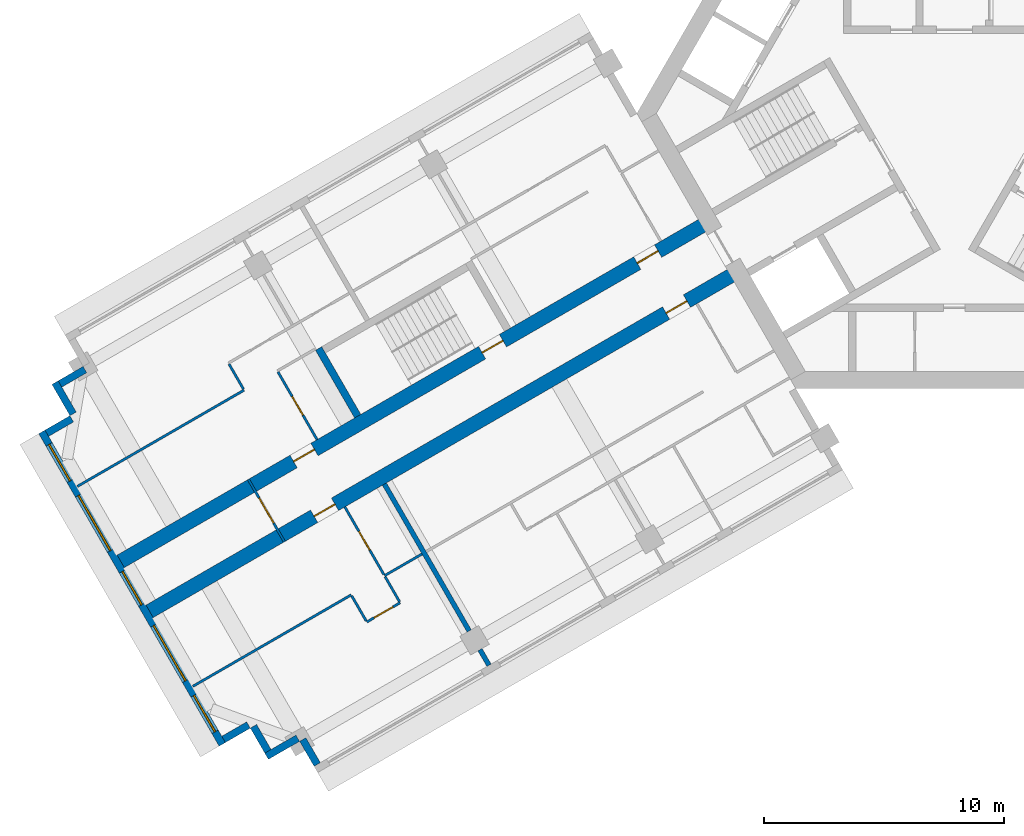
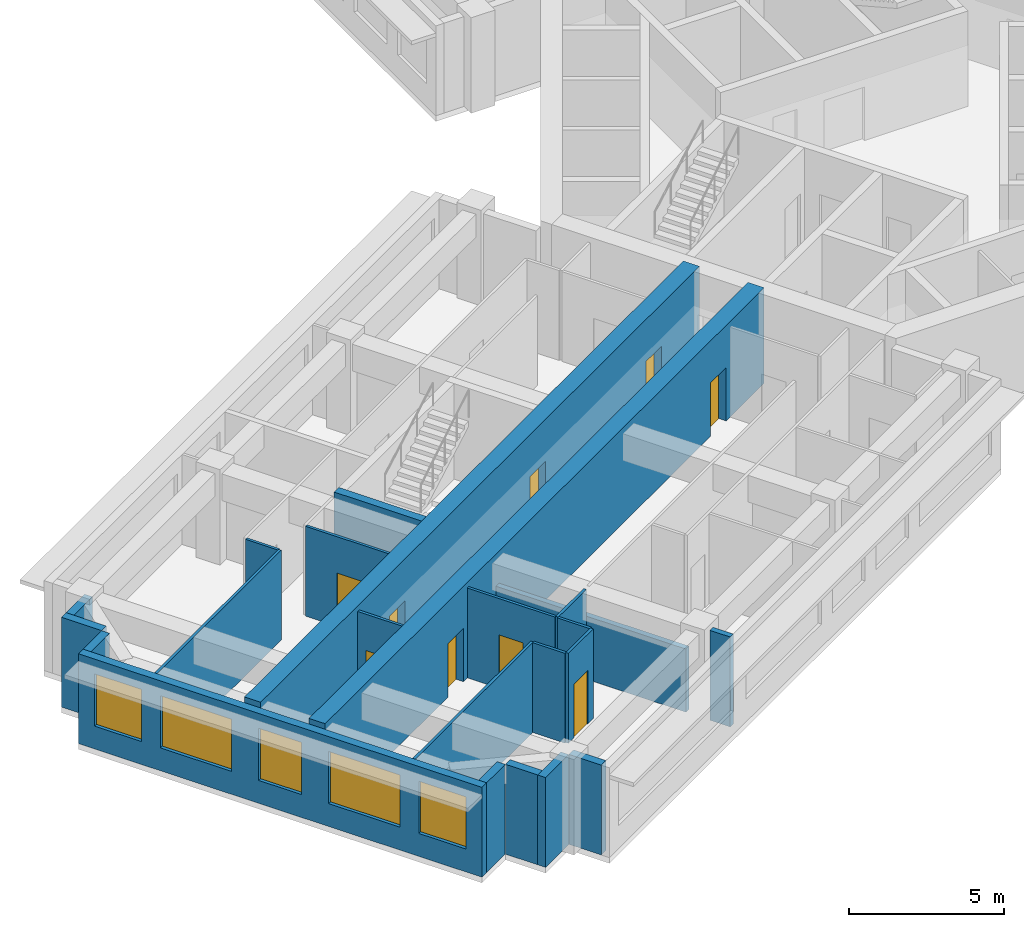
# One storey, part 2 of 10: 23 walls, 9 doors, 5 windows, 14 openings.
"""IFC4 building model written with IfcOpenShell, lengths in metres."""

from ifc_helpers import new_model, si_unit, direction, frame, frame_2d, origin, place, context, subcontext, project, spatial, rectangle, extrude, material, layer, layer_set, type_object, element, fill, save


model = new_model("IFC4")

# Units and contexts
model_context = context("Model", 3, precision=1e-05, world=origin(), true_north=direction((0.0, 1.0)))
body_context = subcontext(model_context, "Body", "Model", "MODEL_VIEW")
ifc_project = project(units=[si_unit("LENGTHUNIT", "METRE"), si_unit("AREAUNIT", "SQUARE_METRE"), si_unit("VOLUMEUNIT", "CUBIC_METRE"), si_unit("PLANEANGLEUNIT", "RADIAN"), si_unit("MASSUNIT", "GRAM", prefix="KILO")], contexts=[model_context])

# Site, building, storey
site_placement = place(None, origin())
site = spatial("IfcSite", under=ifc_project, at=site_placement, CompositionType="ELEMENT")
building_placement = place(site_placement, origin())
building = spatial("IfcBuilding", under=site, at=building_placement, Name="Impinga Residences", CompositionType="ELEMENT")
storey_placement = place(building_placement, frame((0.0, 0.0, 196.0)))
storey = spatial("IfcBuildingStorey", under=building, at=storey_placement, Name="L48", CompositionType="ELEMENT", Elevation=196.0)

# Wall, openings, doors
ifc_material_1 = material(Name="Concrete C60/75", Category="concrete")
ifc_layer_1 = layer(ifc_material_1, 0.60009765625)
ifc_layer_set_1 = layer_set([ifc_layer_1], Name="Concrete C60/75")
wall_type_1 = type_object("IfcWallType", Name="BW3 corridor buttress wall, L46 to L73 600", PredefinedType="SHEAR", material=ifc_layer_set_1)
wall_1_placement = place(storey_placement, frame((-8.996826171875, -6.580078125, 0.0), z_axis=(0.0, 0.0, 1.0), x_axis=(-0.866026415941, -0.499998246889, 0.0)))
wall_1 = element("IfcWall", 1, at=wall_1_placement, inside=storey, type_object=wall_type_1, Name="Corridor wall BW3 WC L48", PredefinedType="SHEAR", context=body_context, shape_type="SweptSolid", body=[
    extrude(rectangle(XDim=28.25, YDim=0.60009765625, at=frame_2d((14.125, 0.0))), origin(), (0.0, 0.0, 1.0), 3.75),
])
opening_1_placement = place(wall_1_placement, frame((2.449951171875, 0.0, 0.0)))
opening_1 = element("IfcOpeningElement", 2, at=opening_1_placement, cuts=wall_1, Name="Opening D1", PredefinedType="OPENING", context=body_context, shape_type="SweptSolid", body=[
    extrude(rectangle(XDim=1.0, YDim=2.10009765625, at=frame_2d((0.5, 1.050048828125))), frame((0.0, 0.31005859375, 0.0), z_axis=(0.0, -1.0, 0.0), x_axis=(1.0, 0.0, 0.0)), (0.0, 0.0, 1.0), 0.6201171875),
])
opening_2_placement = place(wall_1_placement, frame((19.35009765625, 0.0, 0.0)))
opening_2 = element("IfcOpeningElement", 3, at=opening_2_placement, cuts=wall_1, Name="Opening D1", PredefinedType="OPENING", context=body_context, shape_type="SweptSolid", body=[
    extrude(rectangle(XDim=1.0, YDim=2.10009765625, at=frame_2d((0.5, 1.050048828125))), frame((0.0, 0.31005859375, 0.0), z_axis=(0.0, -1.0, 0.0), x_axis=(1.0, 0.0, 0.0)), (0.0, 0.0, 1.0), 0.6201171875),
])
ifc_material_2 = material(Name="Timber door set", Category="wood")
door_type_1 = type_object("IfcDoorType", Name="D1 apartment entrance door 1000x2100", OperationType="SINGLE_SWING_LEFT", PredefinedType="DOOR", material=ifc_material_2)
door_1_placement = place(opening_1_placement, origin())
door_1 = element("IfcDoor", 4, at=door_1_placement, inside=storey, type_object=door_type_1, Name="Apartment L48-WA1 entrance", OperationType="SINGLE_SWING_LEFT", OverallHeight=2.10009765625, OverallWidth=1.0, PredefinedType="DOOR", context=body_context, shape_type="SweptSolid", body=[
    extrude(rectangle(XDim=1.0, YDim=2.10009765625, at=frame_2d((0.5, 1.050048828125))), frame((0.0, 0.02490234375, 0.0), z_axis=(0.0, -1.0, 0.0), x_axis=(1.0, 0.0, 0.0)), (0.0, 0.0, 1.0), 0.050048828125),
])
fill(opening_1, door_1)
door_2_placement = place(opening_2_placement, origin())
door_2 = element("IfcDoor", 5, at=door_2_placement, inside=storey, type_object=door_type_1, Name="Apartment L48-WA2 entrance", OperationType="SINGLE_SWING_RIGHT", OverallHeight=2.10009765625, OverallWidth=1.0, PredefinedType="DOOR", context=body_context, shape_type="SweptSolid", body=[
    extrude(rectangle(XDim=1.0, YDim=2.10009765625, at=frame_2d((0.5, 1.050048828125))), frame((0.0, 0.02490234375, 0.0), z_axis=(0.0, -1.0, 0.0), x_axis=(1.0, 0.0, 0.0)), (0.0, 0.0, 1.0), 0.050048828125),
])
fill(opening_2, door_2)

wall_2_placement = place(storey_placement, frame((-10.19677734375, -4.50146484375, 0.0), z_axis=(0.0, 0.0, 1.0), x_axis=(-0.866026415941, -0.499998246889, 0.0)))
wall_2 = element("IfcWall", 6, at=wall_2_placement, inside=storey, type_object=wall_type_1, Name="Corridor wall BW3 WD L48", PredefinedType="SHEAR", context=body_context, shape_type="SweptSolid", body=[
    extrude(rectangle(XDim=28.25, YDim=0.60009765625, at=frame_2d((14.125, 0.0))), origin(), (0.0, 0.0, 1.0), 3.75),
])
opening_3_placement = place(wall_2_placement, frame((9.89990234375, 0.0, 0.0)))
opening_3 = element("IfcOpeningElement", 7, at=opening_3_placement, cuts=wall_2, Name="Opening D5", PredefinedType="OPENING", context=body_context, shape_type="SweptSolid", body=[
    extrude(rectangle(XDim=1.0, YDim=2.10009765625, at=frame_2d((0.5, 1.050048828125))), frame((0.0, 0.31005859375, 0.0), z_axis=(0.0, -1.0, 0.0), x_axis=(1.0, 0.0, 0.0)), (0.0, 0.0, 1.0), 0.6201171875),
])
opening_4_placement = place(wall_2_placement, frame((2.449951171875, 0.0, 0.0)))
opening_4 = element("IfcOpeningElement", 8, at=opening_4_placement, cuts=wall_2, Name="Opening D1", PredefinedType="OPENING", context=body_context, shape_type="SweptSolid", body=[
    extrude(rectangle(XDim=1.0, YDim=2.10009765625, at=frame_2d((0.5, 1.050048828125))), frame((0.0, 0.31005859375, 0.0), z_axis=(0.0, -1.0, 0.0), x_axis=(1.0, 0.0, 0.0)), (0.0, 0.0, 1.0), 0.6201171875),
])
opening_5_placement = place(wall_2_placement, frame((18.949951171875, 0.0, 0.0)))
opening_5 = element("IfcOpeningElement", 9, at=opening_5_placement, cuts=wall_2, Name="Opening D1", PredefinedType="OPENING", context=body_context, shape_type="SweptSolid", body=[
    extrude(rectangle(XDim=1.0, YDim=2.10009765625, at=frame_2d((0.5, 1.050048828125))), frame((0.0, 0.31005859375, 0.0), z_axis=(0.0, -1.0, 0.0), x_axis=(1.0, 0.0, 0.0)), (0.0, 0.0, 1.0), 0.6201171875),
])
door_3_placement = place(opening_4_placement, origin())
door_3 = element("IfcDoor", 10, at=door_3_placement, inside=storey, type_object=door_type_1, Name="Apartment L48-WF1 entrance", OperationType="SINGLE_SWING_LEFT", OverallHeight=2.10009765625, OverallWidth=1.0, PredefinedType="DOOR", context=body_context, shape_type="SweptSolid", body=[
    extrude(rectangle(XDim=1.0, YDim=2.10009765625, at=frame_2d((0.5, 1.050048828125))), frame((0.0, 0.02490234375, 0.0), z_axis=(0.0, -1.0, 0.0), x_axis=(1.0, 0.0, 0.0)), (0.0, 0.0, 1.0), 0.050048828125),
])
fill(opening_4, door_3)
door_4_placement = place(opening_5_placement, origin())
door_4 = element("IfcDoor", 11, at=door_4_placement, inside=storey, type_object=door_type_1, Name="Apartment L48-WF2 entrance", OperationType="SINGLE_SWING_RIGHT", OverallHeight=2.10009765625, OverallWidth=1.0, PredefinedType="DOOR", context=body_context, shape_type="SweptSolid", body=[
    extrude(rectangle(XDim=1.0, YDim=2.10009765625, at=frame_2d((0.5, 1.050048828125))), frame((0.0, 0.02490234375, 0.0), z_axis=(0.0, -1.0, 0.0), x_axis=(1.0, 0.0, 0.0)), (0.0, 0.0, 1.0), 0.050048828125),
])
fill(opening_5, door_4)
door_type_2 = type_object("IfcDoorType", Name="D5 stair door 1000x2100", OperationType="SINGLE_SWING_LEFT", PredefinedType="DOOR", material=ifc_material_2)
door_5_placement = place(opening_3_placement, origin())
door_5 = element("IfcDoor", 12, at=door_5_placement, inside=storey, type_object=door_type_2, Name="Wing stair door W", OperationType="SINGLE_SWING_LEFT", OverallHeight=2.10009765625, OverallWidth=1.0, PredefinedType="DOOR", context=body_context, shape_type="SweptSolid", body=[
    extrude(rectangle(XDim=1.0, YDim=2.10009765625, at=frame_2d((0.5, 1.050048828125))), frame((0.0, 0.02490234375, 0.0), z_axis=(0.0, -1.0, 0.0), x_axis=(1.0, 0.0, 0.0)), (0.0, 0.0, 1.0), 0.050048828125),
])
fill(opening_3, door_5)

# Wall, opening, door
ifc_material_3 = material(Name="Concrete blockwork", Category="masonry")
ifc_layer_2 = layer(ifc_material_3, 0.10009765625)
ifc_layer_set_2 = layer_set([ifc_layer_2], Name="CP1 core room partition, blockwork 100")
wall_type_2 = type_object("IfcWallType", Name="CP1 core room partition, blockwork 100", PredefinedType="PARTITIONING", material=ifc_layer_set_2)
wall_3_placement = place(storey_placement, frame((-27.856201171875, -17.814697265625, 0.0), z_axis=(0.0, 0.0, 1.0), x_axis=(-0.50002537861, 0.866010750942, 0.0)))
wall_3 = element("IfcWall", 13, at=wall_3_placement, inside=storey, type_object=wall_type_2, Name="Core room partition, blockwork L48:W:LNG", PredefinedType="PARTITIONING", context=body_context, shape_type="SweptSolid", body=[
    extrude(rectangle(XDim=2.999755859375, YDim=0.10009765625, at=frame_2d((1.5, 0.0))), origin(), (0.0, 0.0, 1.0), 3.530029296875),
])
opening_6_placement = place(wall_3_placement, frame((0.89990234375, 0.0, 0.0)))
opening_6 = element("IfcOpeningElement", 14, at=opening_6_placement, cuts=wall_3, Name="Opening D3", PredefinedType="OPENING", context=body_context, shape_type="SweptSolid", body=[
    extrude(rectangle(XDim=1.199951171875, YDim=2.10009765625, at=frame_2d((0.60009765625, 1.050048828125))), frame((0.0, 0.06005859375, 0.0), z_axis=(0.0, -1.0, 0.0), x_axis=(1.0, 0.0, 0.0)), (0.0, 0.0, 1.0), 0.1201171875),
])
door_type_3 = type_object("IfcDoorType", Name="D3 room door, leaf and a half 1200x2100", OperationType="DOUBLE_SWING_LEFT", PredefinedType="DOOR", material=ifc_material_2)
door_6_placement = place(opening_6_placement, origin())
door_6 = element("IfcDoor", 15, at=door_6_placement, inside=storey, type_object=door_type_3, Name="Residents' lounge door W", OperationType="DOUBLE_SWING_LEFT", OverallHeight=2.10009765625, OverallWidth=1.199951171875, PredefinedType="DOOR", context=body_context, shape_type="SweptSolid", body=[
    extrude(rectangle(XDim=1.199951171875, YDim=2.10009765625, at=frame_2d((0.60009765625, 1.050048828125))), frame((0.0, 0.02490234375, 0.0), z_axis=(0.0, -1.0, 0.0), x_axis=(1.0, 0.0, 0.0)), (0.0, 0.0, 1.0), 0.050048828125),
])
fill(opening_6, door_6)

# Walls
ifc_material_4 = material(Name="Terracotta rainscreen on blockwork", Category="masonry")
ifc_layer_3 = layer(ifc_material_4, 0.300048828125)
ifc_layer_set_3 = layer_set([ifc_layer_3], Name="EW1 external wall, terracotta rainscreen on blockwork 300")
wall_type_3 = type_object("IfcWallType", Name="EW1 external wall, terracotta rainscreen on blockwork 300", PredefinedType="SOLIDWALL", material=ifc_layer_set_3)
wall_4_placement = place(storey_placement, frame((-26.493896484375, -27.07421875, 0.0), z_axis=(0.0, 0.0, 1.0), x_axis=(-0.500033551112, 0.866006032174, 0.0)))
element("IfcWall", 16, at=wall_4_placement, inside=storey, type_object=wall_type_3, Name="External wall EW1 L48", PredefinedType="SOLIDWALL", context=body_context, shape_type="SweptSolid", body=[
    extrude(rectangle(XDim=1.2001953125, YDim=0.300048828125, at=frame_2d((0.60009765625, 0.0))), origin(), (0.0, 0.0, 1.0), 3.530029296875),
])
wall_5_placement = place(storey_placement, frame((-27.30322265625, -25.982666015625, 0.0), z_axis=(0.0, 0.0, 1.0), x_axis=(-0.866074087889, -0.499915667175, 0.0)))
element("IfcWall", 17, at=wall_5_placement, inside=storey, type_object=wall_type_3, Name="External wall EW1 L48", PredefinedType="SOLIDWALL", context=body_context, shape_type="SweptSolid", body=[
    extrude(rectangle(XDim=1.494873046875, YDim=0.300048828125, at=frame_2d((0.74755859375, 0.0))), origin(), (0.0, 0.0, 1.0), 3.530029296875),
])
wall_6_placement = place(storey_placement, frame((-28.54296875, -26.525146484375, 0.0), z_axis=(0.0, 0.0, 1.0), x_axis=(-0.500033551112, 0.866006032174, 0.0)))
element("IfcWall", 18, at=wall_6_placement, inside=storey, type_object=wall_type_3, Name="External wall EW1 L48", PredefinedType="SOLIDWALL", context=body_context, shape_type="SweptSolid", body=[
    extrude(rectangle(XDim=1.2001953125, YDim=0.300048828125, at=frame_2d((0.60009765625, 0.0))), origin(), (0.0, 0.0, 1.0), 3.530029296875),
])
wall_7_placement = place(storey_placement, frame((-29.352294921875, -25.43359375, 0.0), z_axis=(0.0, 0.0, 1.0), x_axis=(-0.866059708757, -0.499940577336, 0.0)))
element("IfcWall", 19, at=wall_7_placement, inside=storey, type_object=wall_type_3, Name="External wall EW1 L48", PredefinedType="SOLIDWALL", context=body_context, shape_type="SweptSolid", body=[
    extrude(rectangle(XDim=1.195068359375, YDim=0.300048828125, at=frame_2d((0.59765625, 0.0))), origin(), (0.0, 0.0, 1.0), 3.530029296875),
])

# Wall, openings, windows
wall_8_placement = place(storey_placement, frame((-30.44189453125, -26.23583984375, 0.0), z_axis=(0.0, 0.0, 1.0), x_axis=(-0.500004234368, 0.866022959057, 0.0)))
wall_8 = element("IfcWall", 20, at=wall_8_placement, inside=storey, type_object=wall_type_3, Name="External wall EW1 L48", PredefinedType="SOLIDWALL", context=body_context, shape_type="SweptSolid", body=[
    extrude(rectangle(XDim=14.999755859375, YDim=0.300048828125, at=frame_2d((7.5, 0.0))), origin(), (0.0, 0.0, 1.0), 3.530029296875),
])
opening_7_placement = place(wall_8_placement, frame((0.60009765625, 0.0, 0.89990234375)))
opening_7 = element("IfcOpeningElement", 21, at=opening_7_placement, cuts=wall_8, Name="Opening W1", PredefinedType="OPENING", context=body_context, shape_type="SweptSolid", body=[
    extrude(rectangle(XDim=1.75, YDim=2.050048828125, at=frame_2d((0.875, 1.02490234375))), frame((0.0, 0.159912109375, 0.0), z_axis=(0.0, -1.0, 0.0), x_axis=(1.0, 0.0, 0.0)), (0.0, 0.0, 1.0), 0.320068359375),
])
opening_8_placement = place(wall_8_placement, frame((3.050048828125, 0.0, 0.89990234375)))
opening_8 = element("IfcOpeningElement", 22, at=opening_8_placement, cuts=wall_8, Name="Opening W18", PredefinedType="OPENING", context=body_context, shape_type="SweptSolid", body=[
    extrude(rectangle(XDim=2.64990234375, YDim=2.050048828125, at=frame_2d((1.324951171875, 1.02490234375))), frame((0.0, 0.159912109375, 0.0), z_axis=(0.0, -1.0, 0.0), x_axis=(1.0, 0.0, 0.0)), (0.0, 0.0, 1.0), 0.320068359375),
])
opening_9_placement = place(wall_8_placement, frame((6.699951171875, 0.0, 0.89990234375)))
opening_9 = element("IfcOpeningElement", 23, at=opening_9_placement, cuts=wall_8, Name="Opening W19", PredefinedType="OPENING", context=body_context, shape_type="SweptSolid", body=[
    extrude(rectangle(XDim=1.60009765625, YDim=2.050048828125, at=frame_2d((0.800048828125, 1.02490234375))), frame((0.0, 0.159912109375, 0.0), z_axis=(0.0, -1.0, 0.0), x_axis=(1.0, 0.0, 0.0)), (0.0, 0.0, 1.0), 0.320068359375),
])
opening_10_placement = place(wall_8_placement, frame((9.300048828125, 0.0, 0.89990234375)))
opening_10 = element("IfcOpeningElement", 24, at=opening_10_placement, cuts=wall_8, Name="Opening W18", PredefinedType="OPENING", context=body_context, shape_type="SweptSolid", body=[
    extrude(rectangle(XDim=2.64990234375, YDim=2.050048828125, at=frame_2d((1.324951171875, 1.02490234375))), frame((0.0, 0.159912109375, 0.0), z_axis=(0.0, -1.0, 0.0), x_axis=(1.0, 0.0, 0.0)), (0.0, 0.0, 1.0), 0.320068359375),
])
opening_11_placement = place(wall_8_placement, frame((12.64990234375, 0.0, 0.89990234375)))
opening_11 = element("IfcOpeningElement", 25, at=opening_11_placement, cuts=wall_8, Name="Opening W1", PredefinedType="OPENING", context=body_context, shape_type="SweptSolid", body=[
    extrude(rectangle(XDim=1.75, YDim=2.050048828125, at=frame_2d((0.875, 1.02490234375))), frame((0.0, 0.159912109375, 0.0), z_axis=(0.0, -1.0, 0.0), x_axis=(1.0, 0.0, 0.0)), (0.0, 0.0, 1.0), 0.320068359375),
])
ifc_material_5 = material(Name="Aluminium window, clear double glazing", Category="aluminium")
window_type_1 = type_object("IfcWindowType", Name="W1 ribbon window 1750x2050", PartitioningType="SINGLE_PANEL", PredefinedType="WINDOW", material=ifc_material_5)
window_1_placement = place(opening_7_placement, origin())
window_1 = element("IfcWindow", 26, at=window_1_placement, inside=storey, type_object=window_type_1, Name="Window L48", OverallHeight=2.050048828125, OverallWidth=1.75, PartitioningType="SINGLE_PANEL", PredefinedType="WINDOW", context=body_context, shape_type="SweptSolid", body=[
    extrude(rectangle(XDim=1.75, YDim=2.050048828125, at=frame_2d((0.875, 1.02490234375))), frame((0.0, 0.030029296875, 0.0), z_axis=(0.0, -1.0, 0.0), x_axis=(1.0, 0.0, 0.0)), (0.0, 0.0, 1.0), 0.06005859375),
])
fill(opening_7, window_1)
window_2_placement = place(opening_11_placement, origin())
window_2 = element("IfcWindow", 27, at=window_2_placement, inside=storey, type_object=window_type_1, Name="Window L48", OverallHeight=2.050048828125, OverallWidth=1.75, PartitioningType="SINGLE_PANEL", PredefinedType="WINDOW", context=body_context, shape_type="SweptSolid", body=[
    extrude(rectangle(XDim=1.75, YDim=2.050048828125, at=frame_2d((0.875, 1.02490234375))), frame((0.0, 0.030029296875, 0.0), z_axis=(0.0, -1.0, 0.0), x_axis=(1.0, 0.0, 0.0)), (0.0, 0.0, 1.0), 0.06005859375),
])
fill(opening_11, window_2)
window_type_2 = type_object("IfcWindowType", Name="W18 ribbon window 2650x2050", PartitioningType="SINGLE_PANEL", PredefinedType="WINDOW", material=ifc_material_5)
window_3_placement = place(opening_8_placement, origin())
window_3 = element("IfcWindow", 28, at=window_3_placement, inside=storey, type_object=window_type_2, Name="Window L48", OverallHeight=2.050048828125, OverallWidth=2.64990234375, PartitioningType="SINGLE_PANEL", PredefinedType="WINDOW", context=body_context, shape_type="SweptSolid", body=[
    extrude(rectangle(XDim=2.64990234375, YDim=2.050048828125, at=frame_2d((1.324951171875, 1.02490234375))), frame((0.0, 0.030029296875, 0.0), z_axis=(0.0, -1.0, 0.0), x_axis=(1.0, 0.0, 0.0)), (0.0, 0.0, 1.0), 0.06005859375),
])
fill(opening_8, window_3)
window_4_placement = place(opening_10_placement, origin())
window_4 = element("IfcWindow", 29, at=window_4_placement, inside=storey, type_object=window_type_2, Name="Window L48", OverallHeight=2.050048828125, OverallWidth=2.64990234375, PartitioningType="SINGLE_PANEL", PredefinedType="WINDOW", context=body_context, shape_type="SweptSolid", body=[
    extrude(rectangle(XDim=2.64990234375, YDim=2.050048828125, at=frame_2d((1.324951171875, 1.02490234375))), frame((0.0, 0.030029296875, 0.0), z_axis=(0.0, -1.0, 0.0), x_axis=(1.0, 0.0, 0.0)), (0.0, 0.0, 1.0), 0.06005859375),
])
fill(opening_10, window_4)
window_type_3 = type_object("IfcWindowType", Name="W19 ribbon window 1600x2050", PartitioningType="SINGLE_PANEL", PredefinedType="WINDOW", material=ifc_material_5)
window_5_placement = place(opening_9_placement, origin())
window_5 = element("IfcWindow", 30, at=window_5_placement, inside=storey, type_object=window_type_3, Name="Window L48", OverallHeight=2.050048828125, OverallWidth=1.60009765625, PartitioningType="SINGLE_PANEL", PredefinedType="WINDOW", context=body_context, shape_type="SweptSolid", body=[
    extrude(rectangle(XDim=1.60009765625, YDim=2.050048828125, at=frame_2d((0.800048828125, 1.02490234375))), frame((0.0, 0.030029296875, 0.0), z_axis=(0.0, -1.0, 0.0), x_axis=(1.0, 0.0, 0.0)), (0.0, 0.0, 1.0), 0.06005859375),
])
fill(opening_9, window_5)

# Walls
wall_9_placement = place(storey_placement, frame((-37.737060546875, -13.300537109375, 0.0), z_axis=(0.0, 0.0, 1.0), x_axis=(0.865971243484, 0.500093796661, 0.0)))
element("IfcWall", 31, at=wall_9_placement, inside=storey, type_object=wall_type_3, Name="External wall EW1 L48", PredefinedType="SOLIDWALL", context=body_context, shape_type="SweptSolid", body=[
    extrude(rectangle(XDim=1.195068359375, YDim=0.300048828125, at=frame_2d((0.59765625, 0.0))), origin(), (0.0, 0.0, 1.0), 3.530029296875),
])
wall_10_placement = place(storey_placement, frame((-36.64306640625, -12.49560546875, 0.0), z_axis=(0.0, 0.0, 1.0), x_axis=(-0.499990139034, 0.866031096941, 0.0)))
element("IfcWall", 32, at=wall_10_placement, inside=storey, type_object=wall_type_3, Name="External wall EW1 L48", PredefinedType="SOLIDWALL", context=body_context, shape_type="SweptSolid", body=[
    extrude(rectangle(XDim=1.5, YDim=0.300048828125, at=frame_2d((0.75, 0.0))), origin(), (0.0, 0.0, 1.0), 3.530029296875),
])
wall_11_placement = place(storey_placement, frame((-37.18798828125, -11.25146484375, 0.0), z_axis=(0.0, 0.0, 1.0), x_axis=(0.866059708757, 0.499940577336, 0.0)))
element("IfcWall", 33, at=wall_11_placement, inside=storey, type_object=wall_type_3, Name="External wall EW1 L48", PredefinedType="SOLIDWALL", context=body_context, shape_type="SweptSolid", body=[
    extrude(rectangle(XDim=1.195068359375, YDim=0.300048828125, at=frame_2d((0.59765625, 0.0))), origin(), (0.0, 0.0, 1.0), 3.530029296875),
])
ifc_material_6 = material(Name="Gypsum board on steel studs", Category="steel")
ifc_layer_4 = layer(ifc_material_6, 0.10009765625)
ifc_layer_set_4 = layer_set([ifc_layer_4], Name="Gypsum board on steel studs")
wall_type_4 = type_object("IfcWallType", Name="IP1 partition 100", PredefinedType="PARTITIONING", material=ifc_layer_set_4)
wall_12_placement = place(storey_placement, frame((-22.1357421875, -18.32275390625, 0.0), z_axis=(0.0, 0.0, 1.0), x_axis=(-0.866047807691, -0.499961193289, 0.0)))
element("IfcWall", 34, at=wall_12_placement, inside=storey, type_object=wall_type_4, Name="Partition L48-WA2:DIV0", PredefinedType="PARTITIONING", context=body_context, shape_type="SweptSolid", body=[
    extrude(rectangle(XDim=1.800048828125, YDim=0.10009765625, at=frame_2d((0.89990234375, 0.0))), origin(), (0.0, 0.0, 1.0), 3.530029296875),
])
wall_13_placement = place(storey_placement, frame((-25.080322265625, -20.022705078125, 0.0), z_axis=(0.0, 0.0, 1.0), x_axis=(-0.866022425744, -0.500005158081, 0.0)))
element("IfcWall", 35, at=wall_13_placement, inside=storey, type_object=wall_type_4, Name="Partition L48-WA2:DIV1", PredefinedType="PARTITIONING", context=body_context, shape_type="SweptSolid", body=[
    extrude(rectangle(XDim=7.60009765625, YDim=0.10009765625, at=frame_2d((3.800048828125, 0.0))), origin(), (0.0, 0.0, 1.0), 3.530029296875),
])

# Wall, opening, door
wall_14_placement = place(storey_placement, frame((-23.044677734375, -20.3486328125, 0.0), z_axis=(0.0, 0.0, 1.0), x_axis=(-0.866094119867, -0.499880961361, 0.0)))
wall_14 = element("IfcWall", 36, at=wall_14_placement, inside=storey, type_object=wall_type_4, Name="Partition L48-WA2:STRIP", PredefinedType="PARTITIONING", context=body_context, shape_type="SweptSolid", body=[
    extrude(rectangle(XDim=1.60009765625, YDim=0.10009765625, at=frame_2d((0.800048828125, 0.0))), origin(), (0.0, 0.0, 1.0), 3.530029296875),
])
opening_12_placement = place(wall_14_placement, frame((0.35009765625, 0.0, 0.0)))
opening_12 = element("IfcOpeningElement", 37, at=opening_12_placement, cuts=wall_14, Name="Opening D2", PredefinedType="OPENING", context=body_context, shape_type="SweptSolid", body=[
    extrude(rectangle(XDim=0.89990234375, YDim=2.10009765625, at=frame_2d((0.449951171875, 1.050048828125))), frame((0.0, 0.06005859375, 0.0), z_axis=(0.0, -1.0, 0.0), x_axis=(1.0, 0.0, 0.0)), (0.0, 0.0, 1.0), 0.1201171875),
])
door_type_4 = type_object("IfcDoorType", Name="D2 internal door 900x2100", OperationType="SINGLE_SWING_LEFT", PredefinedType="DOOR", material=ifc_material_2)
door_7_placement = place(opening_12_placement, origin())
door_7 = element("IfcDoor", 38, at=door_7_placement, inside=storey, type_object=door_type_4, Name="Apartment L48-WA2 room door", OperationType="SINGLE_SWING_LEFT", OverallHeight=2.10009765625, OverallWidth=0.89990234375, PredefinedType="DOOR", context=body_context, shape_type="SweptSolid", body=[
    extrude(rectangle(XDim=0.89990234375, YDim=2.10009765625, at=frame_2d((0.449951171875, 1.050048828125))), frame((0.0, 0.02490234375, 0.0), z_axis=(0.0, -1.0, 0.0), x_axis=(1.0, 0.0, 0.0)), (0.0, 0.0, 1.0), 0.050048828125),
])
fill(opening_12, door_7)

# Walls
for number, where, z_axis, x_axis, name in (
    (39, (-23.669677734375, -19.265869140625, 0.0), (0.0, 0.0, 1.0), (0.500033551112, -0.866006032174, 0.0), "Partition L48-WA2:SE0"),
    (40, (-25.055419921875, -20.06591796875, 0.0), (0.0, 0.0, 1.0), (0.500033551112, -0.866006032174, 0.0), "Partition L48-WA2:SE1"),
):
    element("IfcWall", number, at=place(storey_placement, frame(where, z_axis=z_axis, x_axis=x_axis)), inside=storey, type_object=wall_type_4, Name=name, PredefinedType="PARTITIONING", context=body_context, shape_type="SweptSolid", body=[
        extrude(rectangle(XDim=1.2001953125, YDim=0.10009765625, at=frame_2d((0.60009765625, 0.0))), origin(), (0.0, 0.0, 1.0), 3.530029296875),
    ])

# Wall, opening, door
wall_15_placement = place(storey_placement, frame((-25.3447265625, -16.36474609375, 0.0), z_axis=(0.0, 0.0, 1.0), x_axis=(0.499984717929, -0.866034226713, 0.0)))
wall_15 = element("IfcWall", 41, at=wall_15_placement, inside=storey, type_object=wall_type_4, Name="Partition L48-WA2:IB1", PredefinedType="PARTITIONING", context=body_context, shape_type="SweptSolid", body=[
    extrude(rectangle(XDim=3.25, YDim=0.10009765625, at=frame_2d((1.625, 0.0))), origin(), (0.0, 0.0, 1.0), 3.530029296875),
])
opening_13_placement = place(wall_15_placement, frame((1.175048828125, 0.0, 0.0)))
opening_13 = element("IfcOpeningElement", 42, at=opening_13_placement, cuts=wall_15, Name="Opening D2", PredefinedType="OPENING", context=body_context, shape_type="SweptSolid", body=[
    extrude(rectangle(XDim=0.89990234375, YDim=2.10009765625, at=frame_2d((0.449951171875, 1.050048828125))), frame((0.0, 0.06005859375, 0.0), z_axis=(0.0, -1.0, 0.0), x_axis=(1.0, 0.0, 0.0)), (0.0, 0.0, 1.0), 0.1201171875),
])
door_8_placement = place(opening_13_placement, origin())
door_8 = element("IfcDoor", 43, at=door_8_placement, inside=storey, type_object=door_type_4, Name="Apartment L48-WA2 bathroom door", OperationType="SINGLE_SWING_LEFT", OverallHeight=2.10009765625, OverallWidth=0.89990234375, PredefinedType="DOOR", context=body_context, shape_type="SweptSolid", body=[
    extrude(rectangle(XDim=0.89990234375, YDim=2.10009765625, at=frame_2d((0.449951171875, 1.050048828125))), frame((0.0, 0.02490234375, 0.0), z_axis=(0.0, -1.0, 0.0), x_axis=(1.0, 0.0, 0.0)), (0.0, 0.0, 1.0), 0.050048828125),
])
fill(opening_13, door_8)

# Walls
wall_16_placement = place(storey_placement, frame((-29.533935546875, -11.5087890625, 0.0), z_axis=(0.0, 0.0, 1.0), x_axis=(-0.866026010844, -0.49999894854, 0.0)))
element("IfcWall", 44, at=wall_16_placement, inside=storey, type_object=wall_type_4, Name="Partition L48-WF2:DIV1", PredefinedType="PARTITIONING", context=body_context, shape_type="SweptSolid", body=[
    extrude(rectangle(XDim=8.0, YDim=0.10009765625, at=frame_2d((4.0, 0.0))), origin(), (0.0, 0.0, 1.0), 3.530029296875),
])
wall_17_placement = place(storey_placement, frame((-29.558837890625, -11.465576171875, 0.0), z_axis=(0.0, 0.0, 1.0), x_axis=(-0.500033551112, 0.866006032174, 0.0)))
element("IfcWall", 45, at=wall_17_placement, inside=storey, type_object=wall_type_4, Name="Partition L48-WF2:SE1", PredefinedType="PARTITIONING", context=body_context, shape_type="SweptSolid", body=[
    extrude(rectangle(XDim=1.2001953125, YDim=0.10009765625, at=frame_2d((0.60009765625, 0.0))), origin(), (0.0, 0.0, 1.0), 3.530029296875),
])

# Wall, opening, door
wall_18_placement = place(storey_placement, frame((-26.498291015625, -13.566650390625, 0.0), z_axis=(0.0, 0.0, 1.0), x_axis=(-0.500017246033, 0.866015446554, 0.0)))
wall_18 = element("IfcWall", 46, at=wall_18_placement, inside=storey, type_object=wall_type_4, Name="Partition L48-WF2:IB1", PredefinedType="PARTITIONING", context=body_context, shape_type="SweptSolid", body=[
    extrude(rectangle(XDim=3.25, YDim=0.10009765625, at=frame_2d((1.625, 0.0))), origin(), (0.0, 0.0, 1.0), 3.530029296875),
])
opening_14_placement = place(wall_18_placement, frame((1.175048828125, 0.0, 0.0)))
opening_14 = element("IfcOpeningElement", 47, at=opening_14_placement, cuts=wall_18, Name="Opening D2", PredefinedType="OPENING", context=body_context, shape_type="SweptSolid", body=[
    extrude(rectangle(XDim=0.89990234375, YDim=2.10009765625, at=frame_2d((0.449951171875, 1.050048828125))), frame((0.0, 0.06005859375, 0.0), z_axis=(0.0, -1.0, 0.0), x_axis=(1.0, 0.0, 0.0)), (0.0, 0.0, 1.0), 0.1201171875),
])
door_9_placement = place(opening_14_placement, origin())
door_9 = element("IfcDoor", 48, at=door_9_placement, inside=storey, type_object=door_type_4, Name="Apartment L48-WF2 bathroom door", OperationType="SINGLE_SWING_LEFT", OverallHeight=2.10009765625, OverallWidth=0.89990234375, PredefinedType="DOOR", context=body_context, shape_type="SweptSolid", body=[
    extrude(rectangle(XDim=0.89990234375, YDim=2.10009765625, at=frame_2d((0.449951171875, 1.050048828125))), frame((0.0, 0.02490234375, 0.0), z_axis=(0.0, -1.0, 0.0), x_axis=(1.0, 0.0, 0.0)), (0.0, 0.0, 1.0), 0.050048828125),
])
fill(opening_14, door_9)

# Walls
ifc_layer_5 = layer(ifc_material_3, 0.199951171875)
ifc_layer_set_5 = layer_set([ifc_layer_5], Name="PW1 party wall between apartments 200")
wall_type_5 = type_object("IfcWallType", Name="PW1 party wall between apartments 200", PredefinedType="SOLIDWALL", material=ifc_layer_set_5)
wall_19_placement = place(storey_placement, frame((-23.69921875, -15.414794921875, 0.0), z_axis=(0.0, 0.0, 1.0), x_axis=(0.499990246421, -0.866031034943, 0.0)))
element("IfcWall", 49, at=wall_19_placement, inside=storey, type_object=wall_type_5, Name="Party wall between apartments L48-WA1:PARTY", PredefinedType="SOLIDWALL", context=body_context, shape_type="SweptSolid", body=[
    extrude(rectangle(XDim=7.050048828125, YDim=0.199951171875, at=frame_2d((3.52490234375, 0.0))), origin(), (0.0, 0.0, 1.0), 2.47998046875),
])
wall_20_placement = place(storey_placement, frame((-19.72412109375, -22.2998046875, 0.0), z_axis=(0.0, 0.0, 1.0), x_axis=(0.500060622324, -0.86599040064, 0.0)))
element("IfcWall", 50, at=wall_20_placement, inside=storey, type_object=wall_type_5, Name="Party wall between apartments L48-WA1:PARTYb", PredefinedType="SOLIDWALL", context=body_context, shape_type="SweptSolid", body=[
    extrude(rectangle(XDim=0.75, YDim=0.199951171875, at=frame_2d((0.375, 0.0))), origin(), (0.0, 0.0, 1.0), 3.530029296875),
])
ifc_layer_6 = layer(ifc_material_1, 0.300048828125)
ifc_layer_set_6 = layer_set([ifc_layer_6], Name="Concrete C60/75")
wall_type_6 = type_object("IfcWallType", Name="SE1 wing stair enclosure wall 300", PredefinedType="SOLIDWALL", material=ifc_layer_set_6)
wall_21_placement = place(storey_placement, frame((-24.8095703125, -12.591796875, 0.0), z_axis=(0.0, 0.0, 1.0), x_axis=(-0.499984717929, 0.866034226713, 0.0)))
element("IfcWall", 51, at=wall_21_placement, inside=storey, type_object=wall_type_6, Name="Stair enclosure wall SE1 W END1 L48", PredefinedType="SOLIDWALL", context=body_context, shape_type="SweptSolid", body=[
    extrude(rectangle(XDim=3.25, YDim=0.300048828125, at=frame_2d((1.625, 0.0))), origin(), (0.0, 0.0, 1.0), 3.75),
])

save(model, "model.ifc")
